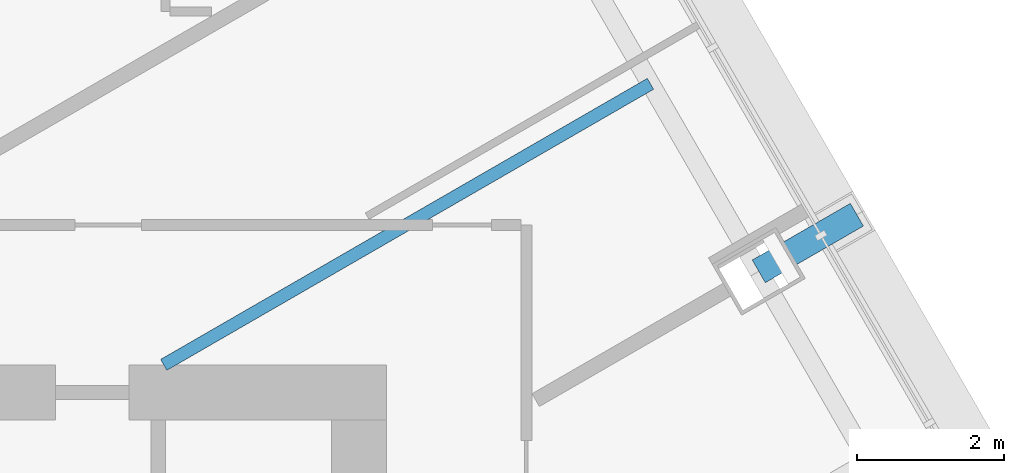
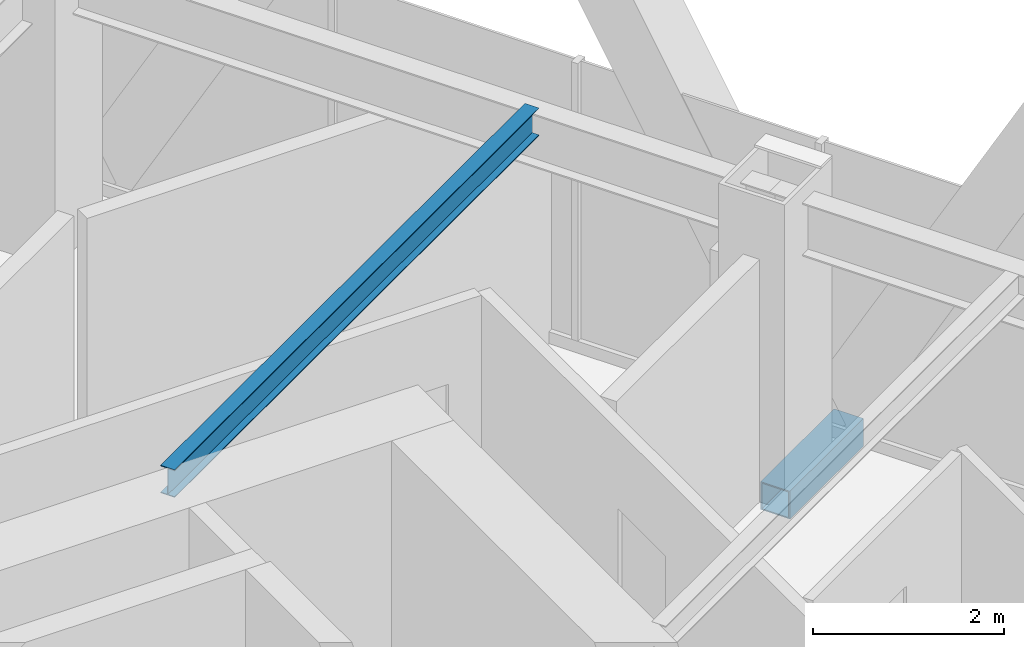
# One storey, part 9 of 19: 1 beam, 1 member.
"""IFC4 building model written with IfcOpenShell, lengths in metres."""

from ifc_helpers import new_model, si_unit, direction, frame, origin, origin_2d, place, context, subcontext, project, spatial, hollow_rectangle, i_section, extrude, material, material_profile, profile_set, type_object, element, save


model = new_model("IFC4")

# Units and contexts
model_context = context("Model", 3, precision=1e-05, world=origin(), true_north=direction((0.0, 1.0)))
body_context = subcontext(model_context, "Body", "Model", "MODEL_VIEW")
ifc_project = project(units=[si_unit("LENGTHUNIT", "METRE"), si_unit("AREAUNIT", "SQUARE_METRE"), si_unit("VOLUMEUNIT", "CUBIC_METRE"), si_unit("PLANEANGLEUNIT", "RADIAN"), si_unit("MASSUNIT", "GRAM", prefix="KILO")], contexts=[model_context])

# Site, building, storey
site_placement = place(None, origin())
site = spatial("IfcSite", under=ifc_project, at=site_placement, CompositionType="ELEMENT")
building_placement = place(site_placement, origin())
building = spatial("IfcBuilding", under=site, at=building_placement, Name="Firuza Gate Tower and Library", CompositionType="ELEMENT")
storey_placement = place(building_placement, frame((0.0, 0.0, 187.0)))
storey = spatial("IfcBuildingStorey", under=building, at=storey_placement, Name="L43", CompositionType="ELEMENT", Elevation=187.0)

# Member
ifc_material_1 = material(Name="Steel S355", Category="steel")
ifc_material_profile_1 = material_profile(ifc_material_1, hollow_rectangle(XDim=0.355712890625, YDim=0.355712890625, WallThickness=0.014892578125, at=origin_2d()))
ifc_profile_set_1 = profile_set([ifc_material_profile_1], Name="Steel S355")
member_type = type_object("IfcMemberType", Name="HSS356x356x16 Lattice node tie", PredefinedType="BRACE", material=ifc_profile_set_1)
member_placement = place(storey_placement, frame((91.056396484375, 84.270263671875, -0.320068359375), z_axis=(0.866048237946, 0.499960447986, 0.0), x_axis=(-0.499960447986, 0.866048237946, 0.0)))
element("IfcMember", 1, at=member_placement, inside=storey, type_object=member_type, Name="Lattice node tie E L43 206", PredefinedType="BRACE", context=body_context, shape_type="SweptSolid", body=[
    extrude(hollow_rectangle(XDim=0.355712890625, YDim=0.355712890625, WallThickness=0.014892578125, at=origin_2d()), origin(), (0.0, 0.0, 1.0), 1.5390625),
])

# Beam
ifc_material_2 = material(Name="Steel S355", Category="steel")
ifc_material_profile_2 = material_profile(ifc_material_2, i_section(OverallWidth=0.1708984375, OverallDepth=0.35498046875, WebThickness=0.007080078125, FlangeThickness=0.01171875, at=origin_2d()))
ifc_profile_set_2 = profile_set([ifc_material_profile_2], Name="Steel S355")
beam_type = type_object("IfcBeamType", Name="W360x51 Floor beam", PredefinedType="JOIST", material=ifc_profile_set_2)
beam_placement = place(storey_placement, frame((89.585693359375, 86.8173828125, 3.5224609375), z_axis=(-0.866022634277, -0.500004796897, 0.0), x_axis=(0.500004796897, -0.866022634277, 0.0)))
element("IfcBeam", 2, at=beam_placement, inside=storey, type_object=beam_type, Name="Floor beam L43 s53", PredefinedType="JOIST", context=body_context, shape_type="SweptSolid", body=[
    extrude(i_section(OverallWidth=0.1708984375, OverallDepth=0.35498046875, WebThickness=0.007080078125, FlangeThickness=0.01171875, at=origin_2d()), origin(), (0.0, 0.0, 1.0), 7.634765625),
])

save(model, "model.ifc")
